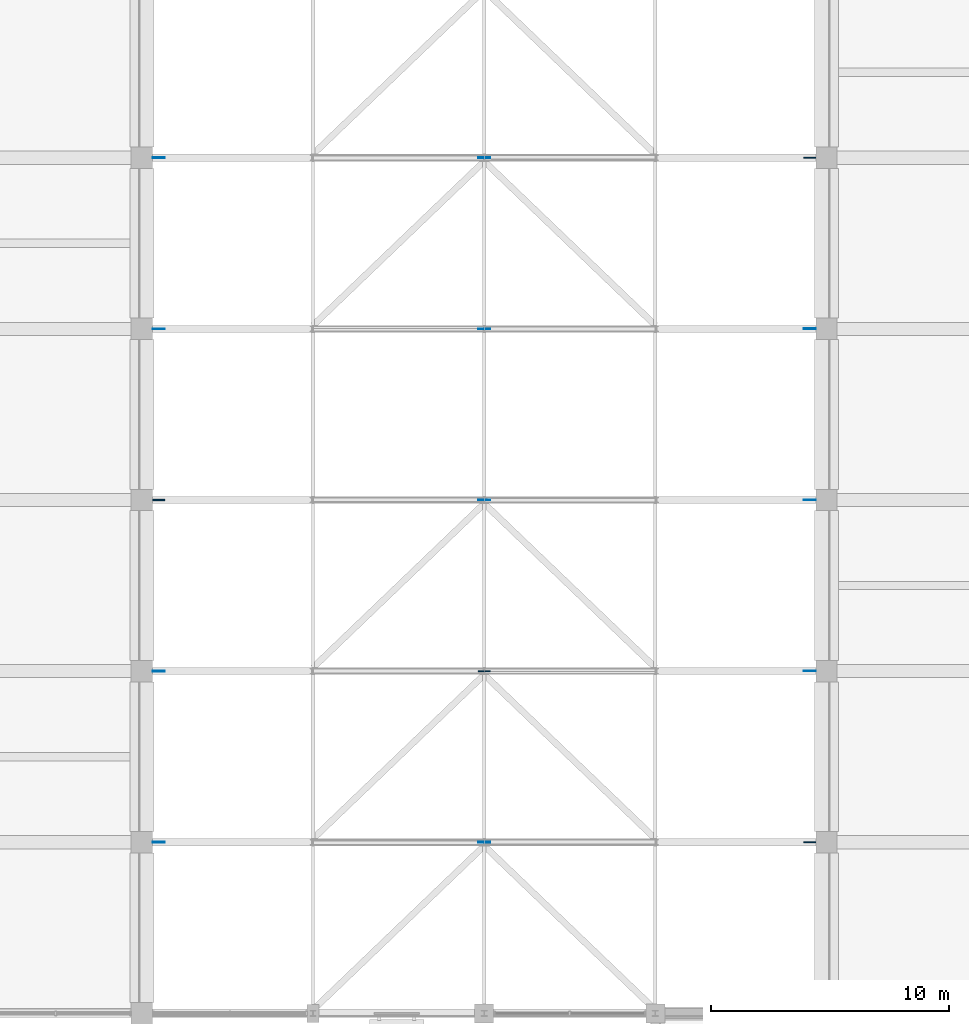
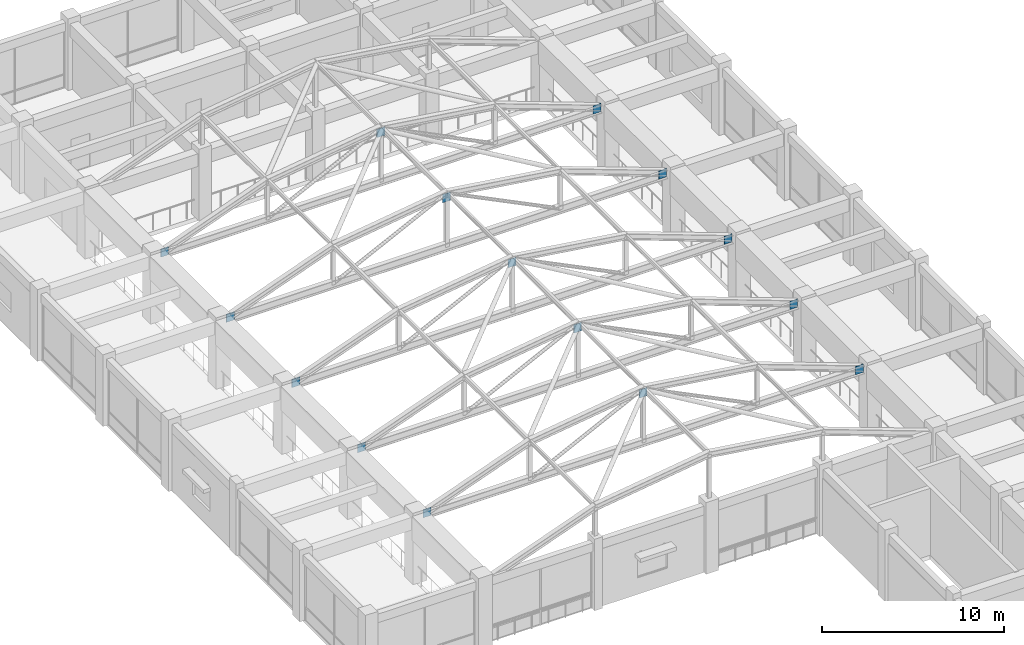
# One storey, part 54 of 75: 15 plates.
"""IFC4 building model written with IfcOpenShell, lengths in metres."""

from ifc_helpers import new_model, si_unit, direction, frame, origin, origin_2d, place, context, subcontext, project, spatial, rectangle, extrude, material, layer, layer_set, type_object, element, save


model = new_model("IFC4")

# Units and contexts
model_context = context("Model", 3, precision=1e-05, world=origin(), true_north=direction((0.0, 1.0)))
body_context = subcontext(model_context, "Body", "Model", "MODEL_VIEW")
ifc_project = project(units=[si_unit("LENGTHUNIT", "METRE"), si_unit("AREAUNIT", "SQUARE_METRE"), si_unit("VOLUMEUNIT", "CUBIC_METRE"), si_unit("PLANEANGLEUNIT", "RADIAN"), si_unit("MASSUNIT", "GRAM", prefix="KILO")], contexts=[model_context])

# Site, building, storey
site_placement = place(None, origin())
site = spatial("IfcSite", under=ifc_project, at=site_placement, CompositionType="ELEMENT")
building_placement = place(site_placement, origin())
building = spatial("IfcBuilding", under=site, at=building_placement, Name="Cendaluz Park School", CompositionType="ELEMENT")
storey_placement = place(building_placement, frame((0.0, 0.0, 4.800048828125)))
storey = spatial("IfcBuildingStorey", under=building, at=storey_placement, Name="L01", CompositionType="ELEMENT", Elevation=4.800048828125)

# Plates
ifc_material = material(Name="Steel S355", Category="steel")
ifc_layer_1 = layer(ifc_material, 0.02001953125)
ifc_layer_set_1 = layer_set([ifc_layer_1], Name="Steel S355")
plate_type_1 = type_object("IfcPlateType", Name="GP-01", PredefinedType="SHEET", material=ifc_layer_set_1)
for number, where, z_axis, x_axis, name in (
    (1, (35.300048828125, 72.0, 3.9248046875), (0.0, 0.0, 1.0), (1.0, 0.0, 0.0), "GP-L01-006"),
    (2, (21.60009765625, 79.199951171875, 7.14501953125), (0.0, 0.0, 1.0), (1.0, 0.0, 0.0), "GP-L01-008"),
    (3, (7.89990234375, 86.39990234375, 3.9248046875), (0.0, 0.0, 1.0), (1.0, 0.0, 0.0), "GP-L01-010"),
):
    element("IfcPlate", number, at=place(storey_placement, frame(where, z_axis=z_axis, x_axis=x_axis)), inside=storey, type_object=plate_type_1, Name=name, PredefinedType="SHEET", context=body_context, shape_type="SweptSolid", body=[
        extrude(rectangle(XDim=0.5, YDim=0.02001953125, at=origin_2d()), origin(), (0.0, 0.0, 1.0), 0.550048828125),
    ])
ifc_layer_2 = layer(ifc_material, 0.030029296875)
ifc_layer_set_2 = layer_set([ifc_layer_2], Name="Steel S355")
plate_type_2 = type_object("IfcPlateType", Name="GP-02", PredefinedType="SHEET", material=ifc_layer_set_2)
for number, where, z_axis, x_axis, name in (
    (4, (7.89990234375, 64.800048828125, 3.9248046875), (0.0, 0.0, 1.0), (1.0, 0.0, 0.0), "GP-L01-001"),
    (5, (35.300048828125, 79.199951171875, 3.9248046875), (0.0, 0.0, 1.0), (1.0, 0.0, 0.0), "GP-L01-009"),
    (6, (21.60009765625, 86.39990234375, 7.14501953125), (0.0, 0.0, 1.0), (1.0, 0.0, 0.0), "GP-L01-011"),
    (7, (7.89990234375, 93.60009765625, 3.9248046875), (0.0, 0.0, 1.0), (1.0, 0.0, 0.0), "GP-L01-013"),
):
    element("IfcPlate", number, at=place(storey_placement, frame(where, z_axis=z_axis, x_axis=x_axis)), inside=storey, type_object=plate_type_2, Name=name, PredefinedType="SHEET", context=body_context, shape_type="SweptSolid", body=[
        extrude(rectangle(XDim=0.5, YDim=0.030029296875, at=origin_2d()), origin(), (0.0, 0.0, 1.0), 0.550048828125),
    ])
ifc_layer_3 = layer(ifc_material, 0.0400390625)
ifc_layer_set_3 = layer_set([ifc_layer_3], Name="Steel S355")
plate_type_3 = type_object("IfcPlateType", Name="GP-03", PredefinedType="SHEET", material=ifc_layer_set_3)
for number, where, z_axis, x_axis, name in (
    (8, (21.60009765625, 64.800048828125, 7.14501953125), (0.0, 0.0, 1.0), (1.0, 0.0, 0.0), "GP-L01-002"),
    (9, (7.89990234375, 72.0, 3.9248046875), (0.0, 0.0, 1.0), (1.0, 0.0, 0.0), "GP-L01-004"),
    (10, (35.300048828125, 86.39990234375, 3.9248046875), (0.0, 0.0, 1.0), (1.0, 0.0, 0.0), "GP-L01-012"),
    (11, (21.60009765625, 93.60009765625, 7.14501953125), (0.0, 0.0, 1.0), (1.0, 0.0, 0.0), "GP-L01-014"),
):
    element("IfcPlate", number, at=place(storey_placement, frame(where, z_axis=z_axis, x_axis=x_axis)), inside=storey, type_object=plate_type_3, Name=name, PredefinedType="SHEET", context=body_context, shape_type="SweptSolid", body=[
        extrude(rectangle(XDim=0.5, YDim=0.0400390625, at=origin_2d()), origin(), (0.0, 0.0, 1.0), 0.550048828125),
    ])
ifc_layer_4 = layer(ifc_material, 0.050048828125)
ifc_layer_set_4 = layer_set([ifc_layer_4], Name="Steel S355")
plate_type_4 = type_object("IfcPlateType", Name="GP-04", PredefinedType="SHEET", material=ifc_layer_set_4)
for number, where, z_axis, x_axis, name in (
    (12, (35.300048828125, 64.800048828125, 3.9248046875), (0.0, 0.0, 1.0), (1.0, 0.0, 0.0), "GP-L01-003"),
    (13, (21.60009765625, 72.0, 7.14501953125), (0.0, 0.0, 1.0), (1.0, 0.0, 0.0), "GP-L01-005"),
    (14, (7.89990234375, 79.199951171875, 3.9248046875), (0.0, 0.0, 1.0), (1.0, 0.0, 0.0), "GP-L01-007"),
    (15, (35.300048828125, 93.60009765625, 3.9248046875), (0.0, 0.0, 1.0), (1.0, 0.0, 0.0), "GP-L01-015"),
):
    element("IfcPlate", number, at=place(storey_placement, frame(where, z_axis=z_axis, x_axis=x_axis)), inside=storey, type_object=plate_type_4, Name=name, PredefinedType="SHEET", context=body_context, shape_type="SweptSolid", body=[
        extrude(rectangle(XDim=0.5, YDim=0.050048828125, at=origin_2d()), origin(), (0.0, 0.0, 1.0), 0.550048828125),
    ])

save(model, "model.ifc")
